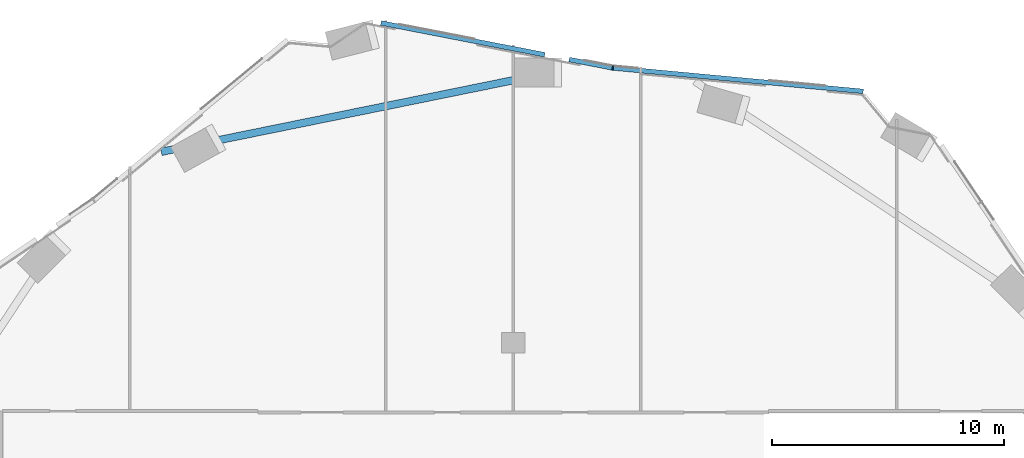
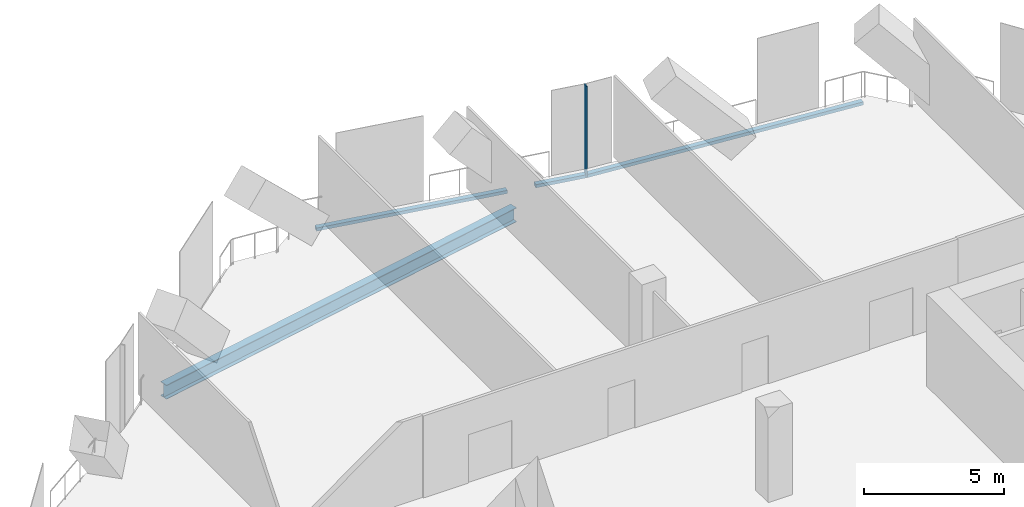
# One storey, part 10 of 28: 4 members, 1 beam, 2 elements without a shape of their own.
"""IFC4 building model written with IfcOpenShell, lengths in metres."""

from ifc_helpers import new_model, si_unit, direction, frame, origin, origin_2d, place, context, subcontext, project, spatial, rectangle, i_section, extrude, material, material_profile, profile_set, type_object, element, aggregate, save


model = new_model("IFC4")

# Units and contexts
model_context = context("Model", 3, precision=1e-05, world=origin(), true_north=direction((0.0, 1.0)))
body_context = subcontext(model_context, "Body", "Model", "MODEL_VIEW")
ifc_project = project(units=[si_unit("LENGTHUNIT", "METRE"), si_unit("AREAUNIT", "SQUARE_METRE"), si_unit("VOLUMEUNIT", "CUBIC_METRE"), si_unit("PLANEANGLEUNIT", "RADIAN"), si_unit("MASSUNIT", "GRAM", prefix="KILO")], contexts=[model_context])

# Site, building, storey
site_placement = place(None, origin())
site = spatial("IfcSite", under=ifc_project, at=site_placement, CompositionType="ELEMENT")
building_placement = place(site_placement, origin())
building = spatial("IfcBuilding", under=site, at=building_placement, Name="Orlundy Tower", CompositionType="ELEMENT")
storey_placement = place(building_placement, frame((0.0, 0.0, 163.10009765625)))
storey = spatial("IfcBuildingStorey", under=building, at=storey_placement, Name="L42", CompositionType="ELEMENT", Elevation=163.10009765625)

# Beam
ifc_material_1 = material(Name="Steel ASTM A992 Gr 50", Category="steel")
ifc_material_profile_1 = material_profile(ifc_material_1, i_section(OverallWidth=0.32373046875, OverallDepth=0.611083984375, WebThickness=0.0126953125, FlangeThickness=0.01904296875, at=origin_2d()), Name="W24X104")
ifc_profile_set_1 = profile_set([ifc_material_profile_1], Name="Steel ASTM A992 Gr 50")
beam_type = type_object("IfcBeamType", Name="CANTILEVER GIRDER beam W24X104", PredefinedType="BEAM", material=ifc_profile_set_1)
beam_placement = place(storey_placement, frame((-15.15576171875, 26.220703125, -0.705810546875), z_axis=(0.979933408855, 0.19932514696, 0.0), x_axis=(-0.19932514696, 0.979933408855, 0.0)))
element("IfcBeam", 1, at=beam_placement, inside=storey, type_object=beam_type, Name="Cantilever girder C-H21 L42", PredefinedType="BEAM", context=body_context, shape_type="SweptSolid", body=[
    extrude(i_section(OverallWidth=0.32373046875, OverallDepth=0.611083984375, WebThickness=0.0126953125, FlangeThickness=0.01904296875, at=origin_2d()), origin(), (0.0, 0.0, 1.0), 16.644287109375),
])

# Curtain wall, member
ifc_material_2 = material(Name="Aluminium bronze anodised", Category="aluminium")
curtain_wall_type = type_object("IfcCurtainWallType", Name="CW5 wall", PredefinedType="NOTDEFINED", material=ifc_material_2)
curtain_wall_1_placement = place(storey_placement, origin())
curtain_wall_1 = element("IfcCurtainWall", 2, at=curtain_wall_1_placement, inside=storey, type_object=curtain_wall_type, Name="CW5 run 011", PredefinedType="NOTDEFINED")
ifc_material_3 = material(Name="Aluminium bronze anodised", Category="aluminium")
ifc_material_profile_2 = material_profile(ifc_material_3, rectangle(XDim=0.199951171875, YDim=0.050048828125, at=origin_2d()), Name="CW5 mullion 50x200")
ifc_profile_set_2 = profile_set([ifc_material_profile_2], Name="Aluminium bronze anodised")
member_type_1 = type_object("IfcMemberType", Name="CW5 mullion 50x200", PredefinedType="MULLION", material=ifc_profile_set_2)
member_1_placement = place(storey_placement, frame((4.283203125, 29.8310546875, -0.400146484375), z_axis=(0.0, 0.0, 1.0), x_axis=(0.14205144901, 0.989859275773, 0.0)))
member_1 = element("IfcMember", 3, at=member_1_placement, type_object=member_type_1, Name="CW5 mullion 17", PredefinedType="MULLION", context=body_context, shape_type="SweptSolid", body=[
    extrude(rectangle(XDim=0.199951171875, YDim=0.050048828125, at=origin_2d()), origin(), (0.0, 0.0, 1.0), 3.97998046875),
])

# Curtain wall, members
curtain_wall_2_placement = place(storey_placement, origin())
curtain_wall_2 = element("IfcCurtainWall", 4, at=curtain_wall_2_placement, inside=storey, type_object=curtain_wall_type, Name="CW5 run 010", PredefinedType="NOTDEFINED")
ifc_material_4 = material(Name="Aluminium bronze anodised", Category="aluminium")
ifc_material_profile_3 = material_profile(ifc_material_4, rectangle(XDim=0.199951171875, YDim=0.139892578125, at=origin_2d()), Name="CW5 transom 200x140")
ifc_profile_set_3 = profile_set([ifc_material_profile_3], Name="Aluminium bronze anodised")
member_type_2 = type_object("IfcMemberType", Name="CW5 transom 200x140", PredefinedType="USERDEFINED", material=ifc_profile_set_3)
member_2_placement = place(storey_placement, frame((-5.6982421875, 31.77099609375, -0.330078125), z_axis=(0.981636067656, -0.190763284403, 0.0), x_axis=(0.190763284403, 0.981636067656, 0.0)))
member_2 = element("IfcMember", 5, at=member_2_placement, type_object=member_type_2, Name="CW5 transom", ObjectType="TRANSOM", PredefinedType="USERDEFINED", context=body_context, shape_type="SweptSolid", body=[
    extrude(rectangle(XDim=0.199951171875, YDim=0.139892578125, at=origin_2d()), origin(), (0.0, 0.0, 1.0), 7.1875),
])
member_3_placement = place(storey_placement, frame((2.406982421875, 30.19580078125, -0.330078125), z_axis=(0.981631553436, -0.190786512363, 0.0), x_axis=(0.190786512363, 0.981631553436, 0.0)))
member_3 = element("IfcMember", 6, at=member_3_placement, type_object=member_type_2, Name="CW5 transom", ObjectType="TRANSOM", PredefinedType="USERDEFINED", context=body_context, shape_type="SweptSolid", body=[
    extrude(rectangle(XDim=0.199951171875, YDim=0.139892578125, at=origin_2d()), origin(), (0.0, 0.0, 1.0), 1.88623046875),
])
aggregate(curtain_wall_2, [member_2, member_3])

# Member
member_4_placement = place(storey_placement, frame((4.30810546875, 29.828857421875, -0.330078125), z_axis=(0.995669574406, -0.09296288831, 0.0), x_axis=(0.09296288831, 0.995669574406, 0.0)))
member_4 = element("IfcMember", 7, at=member_4_placement, type_object=member_type_2, Name="CW5 transom", ObjectType="TRANSOM", PredefinedType="USERDEFINED", context=body_context, shape_type="SweptSolid", body=[
    extrude(rectangle(XDim=0.199951171875, YDim=0.139892578125, at=origin_2d()), origin(), (0.0, 0.0, 1.0), 10.8095703125),
])

aggregate(curtain_wall_1, [member_1, member_4])

save(model, "model.ifc")
